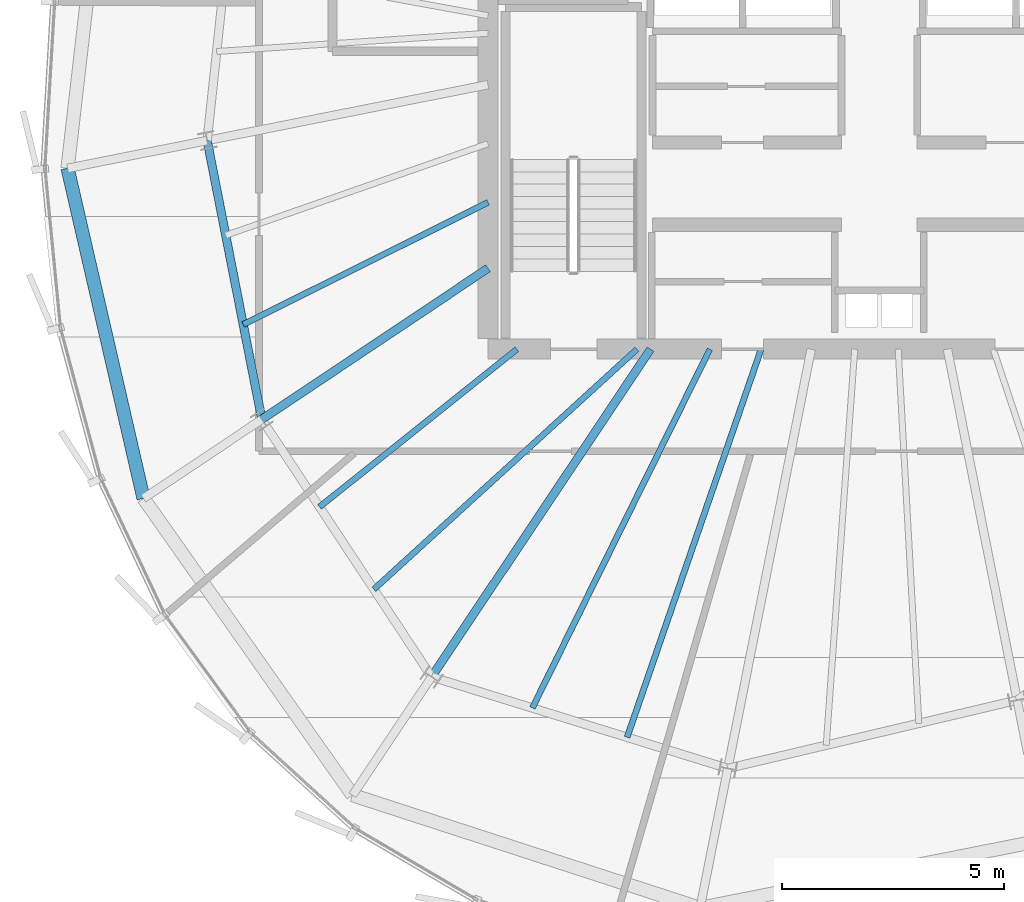
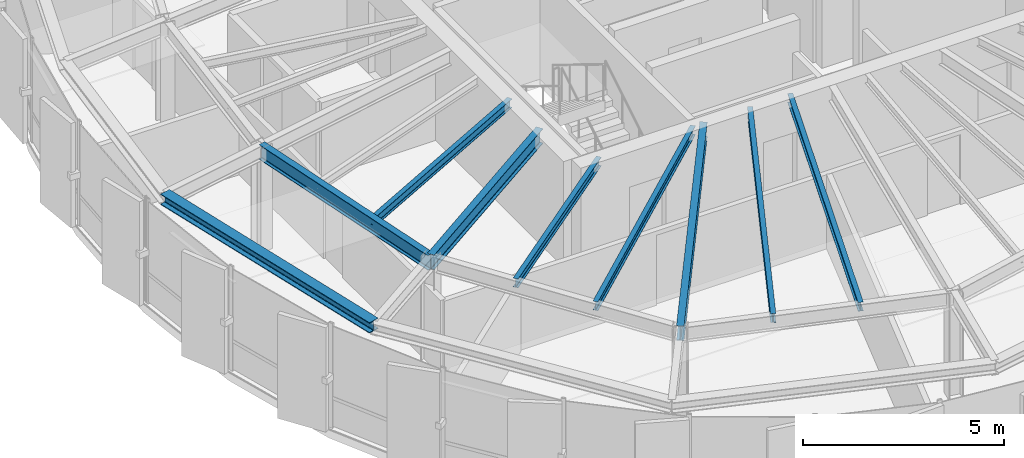
# One storey, part 5 of 30: 9 beams.
"""IFC4 building model written with IfcOpenShell, lengths in metres."""

from ifc_helpers import new_model, si_unit, direction, frame, origin, origin_2d, place, context, subcontext, project, spatial, i_section, extrude, source, transform, mapped, material, material_profile, profile_set, type_object, element, save


model = new_model("IFC4")

# Units and contexts
model_context = context("Model", 3, precision=1e-05, world=origin(), true_north=direction((0.0, 1.0)))
body_context = subcontext(model_context, "Body", "Model", "MODEL_VIEW")
ifc_project = project(units=[si_unit("LENGTHUNIT", "METRE"), si_unit("AREAUNIT", "SQUARE_METRE"), si_unit("VOLUMEUNIT", "CUBIC_METRE"), si_unit("PLANEANGLEUNIT", "RADIAN"), si_unit("MASSUNIT", "GRAM", prefix="KILO"), si_unit("THERMODYNAMICTEMPERATUREUNIT", "KELVIN")], contexts=[model_context])

# Site, building, storey
site_placement = place(None, origin())
site = spatial("IfcSite", under=ifc_project, at=site_placement, CompositionType="ELEMENT")
building_placement = place(site_placement, origin())
building = spatial("IfcBuilding", under=site, at=building_placement, Name="Kethvar Cultural Tower", CompositionType="ELEMENT")
storey_placement = place(building_placement, frame((0.0, 0.0, 297.39990234375)))
storey = spatial("IfcBuildingStorey", under=building, at=storey_placement, Name="L79", CompositionType="ELEMENT", Elevation=297.39990234375)

# Beams
ifc_material = material(Name="Steel S355J2", Category="steel")
ifc_material_profile_1 = material_profile(ifc_material, i_section(OverallWidth=0.18994140625, OverallDepth=0.449951171875, WebThickness=0.009521484375, FlangeThickness=0.0146484375, FilletRadius=0.02099609375, at=origin_2d()), Name="Steel S355J2 — IPE450")
ifc_profile_set_1 = profile_set([ifc_material_profile_1], Name="Steel S355J2 — IPE450")
beam_type_1 = type_object("IfcBeamType", Name="BM-IPE450", PredefinedType="BEAM", material=ifc_profile_set_1)
shared_shape_1 = source(origin(), body_context, "Body", "SweptSolid", [
    extrude(i_section(OverallWidth=0.18994140625, OverallDepth=0.449951171875, WebThickness=0.009521484375, FlangeThickness=0.0146484375, FilletRadius=0.02099609375, at=origin_2d()), origin(), (0.0, 0.0, 1.0), 6.118408203125),
])
beam_1_placement = place(storey_placement, frame((38.0, 21.920166015625, 2.983154296875), z_axis=(-0.831466631282, -0.555574694406, 0.0), x_axis=(0.555574694406, -0.831466631282, 0.0)))
element("IfcBeam", 1, at=beam_1_placement, inside=storey, type_object=beam_type_1, Name="L79 Primary Radial Beam RB-10", PredefinedType="BEAM", context=body_context, shape_type="MappedRepresentation", body=[
    mapped(shared_shape_1, transform((0.0, 0.0, 0.0), scale=1.0)),
])
shared_shape_2 = source(origin(), body_context, "Body", "SweptSolid", [
    extrude(i_section(OverallWidth=0.18994140625, OverallDepth=0.449951171875, WebThickness=0.009521484375, FlangeThickness=0.0146484375, FilletRadius=0.02099609375, at=origin_2d()), origin(), (0.0, 0.0, 1.0), 8.86279296875),
])
beam_2_placement = place(storey_placement, frame((41.655029296875, 20.10009765625, 2.983154296875), z_axis=(-0.555564443415, -0.831473480764, 0.0), x_axis=(0.831473480764, -0.555564443415, 0.0)))
element("IfcBeam", 2, at=beam_2_placement, inside=storey, type_object=beam_type_1, Name="L79 Primary Radial Beam RB-11", PredefinedType="BEAM", context=body_context, shape_type="MappedRepresentation", body=[
    mapped(shared_shape_2, transform((0.0, 0.0, 0.0), scale=1.0)),
])
shared_shape_3 = source(origin(), body_context, "Body", "SweptSolid", [
    extrude(i_section(OverallWidth=0.18994140625, OverallDepth=0.449951171875, WebThickness=0.009521484375, FlangeThickness=0.0146484375, FilletRadius=0.02099609375, at=origin_2d()), origin(), (0.0, 0.0, 1.0), 6.391357421875),
])
beam_3_placement = place(storey_placement, frame((31.68310546875, 24.79296875, 2.983154296875), z_axis=(0.192405084368, -0.981315588131, 0.0), x_axis=(0.981315588131, 0.192405084368, 0.0)))
element("IfcBeam", 3, at=beam_3_placement, inside=storey, type_object=beam_type_1, Name="L79 Column Ring Tie Beam CR-09", PredefinedType="BEAM", context=body_context, shape_type="MappedRepresentation", body=[
    mapped(shared_shape_3, transform((0.0, 0.0, 0.0), scale=1.0)),
])
ifc_material_profile_2 = material_profile(ifc_material, i_section(OverallWidth=0.300048828125, OverallDepth=0.320068359375, WebThickness=0.011474609375, FlangeThickness=0.0205078125, FilletRadius=0.027099609375, at=origin_2d()), Name="Steel S355J2 — HEB320")
ifc_profile_set_2 = profile_set([ifc_material_profile_2], Name="Steel S355J2 — HEB320")
beam_type_2 = type_object("IfcBeamType", Name="BM-SP320", PredefinedType="SPANDREL", material=ifc_profile_set_2)
shared_shape_4 = source(origin(), body_context, "Body", "SweptSolid", [
    extrude(i_section(OverallWidth=0.300048828125, OverallDepth=0.320068359375, WebThickness=0.011474609375, FlangeThickness=0.0205078125, FilletRadius=0.027099609375, at=origin_2d()), origin(), (0.0, 0.0, 1.0), 7.619384765625),
])
beam_4_placement = place(storey_placement, frame((28.54443359375, 24.168701171875, 3.048095703125), z_axis=(0.224133998424, -0.974558336248, 0.0), x_axis=(0.974558336248, 0.224133998424, 0.0)))
element("IfcBeam", 4, at=beam_4_placement, inside=storey, type_object=beam_type_2, Name="L79 Perimeter Spandrel Beam SP-09", PredefinedType="SPANDREL", context=body_context, shape_type="MappedRepresentation", body=[
    mapped(shared_shape_4, transform((0.0, 0.0, 0.0), scale=1.0)),
])
ifc_material_profile_3 = material_profile(ifc_material, i_section(OverallWidth=0.135009765625, OverallDepth=0.27001953125, WebThickness=0.006591796875, FlangeThickness=0.01025390625, FilletRadius=0.014892578125, at=origin_2d()), Name="Steel S355J2 — IPE270")
ifc_profile_set_3 = profile_set([ifc_material_profile_3], Name="Steel S355J2 — IPE270")
beam_type_3 = type_object("IfcBeamType", Name="BM-J270", PredefinedType="JOIST", material=ifc_profile_set_3)
shared_shape_5 = source(origin(), body_context, "Body", "SweptSolid", [
    extrude(i_section(OverallWidth=0.135009765625, OverallDepth=0.27001953125, WebThickness=0.006591796875, FlangeThickness=0.01025390625, FilletRadius=0.014892578125, at=origin_2d()), origin(), (0.0, 0.0, 1.0), 6.154052734375),
])
beam_5_placement = place(storey_placement, frame((38.0, 23.40380859375, 3.072998046875), z_axis=(-0.89458581954, -0.446896197655, 0.0), x_axis=(0.446896197655, -0.89458581954, 0.0)))
element("IfcBeam", 5, at=beam_5_placement, inside=storey, type_object=beam_type_3, Name="L79 Composite Floor Joist J-09B", PredefinedType="JOIST", context=body_context, shape_type="MappedRepresentation", body=[
    mapped(shared_shape_5, transform((0.0, 0.0, 0.0), scale=1.0)),
])
shared_shape_6 = source(origin(), body_context, "Body", "SweptSolid", [
    extrude(i_section(OverallWidth=0.135009765625, OverallDepth=0.27001953125, WebThickness=0.006591796875, FlangeThickness=0.01025390625, FilletRadius=0.014892578125, at=origin_2d()), origin(), (0.0, 0.0, 1.0), 5.68212890625),
])
beam_6_placement = place(storey_placement, frame((38.64990234375, 20.10009765625, 3.072998046875), z_axis=(-0.781157957733, -0.624333440615, 0.0), x_axis=(0.624333440615, -0.781157957733, 0.0)))
element("IfcBeam", 6, at=beam_6_placement, inside=storey, type_object=beam_type_3, Name="L79 Composite Floor Joist J-10A", PredefinedType="JOIST", context=body_context, shape_type="MappedRepresentation", body=[
    mapped(shared_shape_6, transform((0.0, 0.0, 0.0), scale=1.0)),
])
shared_shape_7 = source(origin(), body_context, "Body", "SweptSolid", [
    extrude(i_section(OverallWidth=0.135009765625, OverallDepth=0.27001953125, WebThickness=0.006591796875, FlangeThickness=0.01025390625, FilletRadius=0.014892578125, at=origin_2d()), origin(), (0.0, 0.0, 1.0), 8.010986328125),
])
beam_7_placement = place(storey_placement, frame((41.35009765625, 20.10009765625, 3.072998046875), z_axis=(-0.738614798856, -0.674127717061, 0.0), x_axis=(0.674127717061, -0.738614798856, 0.0)))
element("IfcBeam", 7, at=beam_7_placement, inside=storey, type_object=beam_type_3, Name="L79 Composite Floor Joist J-10B", PredefinedType="JOIST", context=body_context, shape_type="MappedRepresentation", body=[
    mapped(shared_shape_7, transform((0.0, 0.0, 0.0), scale=1.0)),
])
shared_shape_8 = source(origin(), body_context, "Body", "SweptSolid", [
    extrude(i_section(OverallWidth=0.135009765625, OverallDepth=0.27001953125, WebThickness=0.006591796875, FlangeThickness=0.01025390625, FilletRadius=0.014892578125, at=origin_2d()), origin(), (0.0, 0.0, 1.0), 9.00341796875),
])
beam_8_placement = place(storey_placement, frame((42.989501953125, 20.10009765625, 3.072998046875), z_axis=(-0.443543695319, -0.896252749141, 0.0), x_axis=(0.896252749141, -0.443543695319, 0.0)))
element("IfcBeam", 8, at=beam_8_placement, inside=storey, type_object=beam_type_3, Name="L79 Composite Floor Joist J-11A", PredefinedType="JOIST", context=body_context, shape_type="MappedRepresentation", body=[
    mapped(shared_shape_8, transform((0.0, 0.0, 0.0), scale=1.0)),
])
shared_shape_9 = source(origin(), body_context, "Body", "SweptSolid", [
    extrude(i_section(OverallWidth=0.135009765625, OverallDepth=0.27001953125, WebThickness=0.006591796875, FlangeThickness=0.01025390625, FilletRadius=0.014892578125, at=origin_2d()), origin(), (0.0, 0.0, 1.0), 9.234130859375),
])
beam_9_placement = place(storey_placement, frame((44.1416015625, 20.10009765625, 3.072998046875), z_axis=(-0.326362208058, -0.945244787953, 0.0), x_axis=(0.945244787953, -0.326362208058, 0.0)))
element("IfcBeam", 9, at=beam_9_placement, inside=storey, type_object=beam_type_3, Name="L79 Composite Floor Joist J-11B", PredefinedType="JOIST", context=body_context, shape_type="MappedRepresentation", body=[
    mapped(shared_shape_9, transform((0.0, 0.0, 0.0), scale=1.0)),
])

save(model, "model.ifc")
